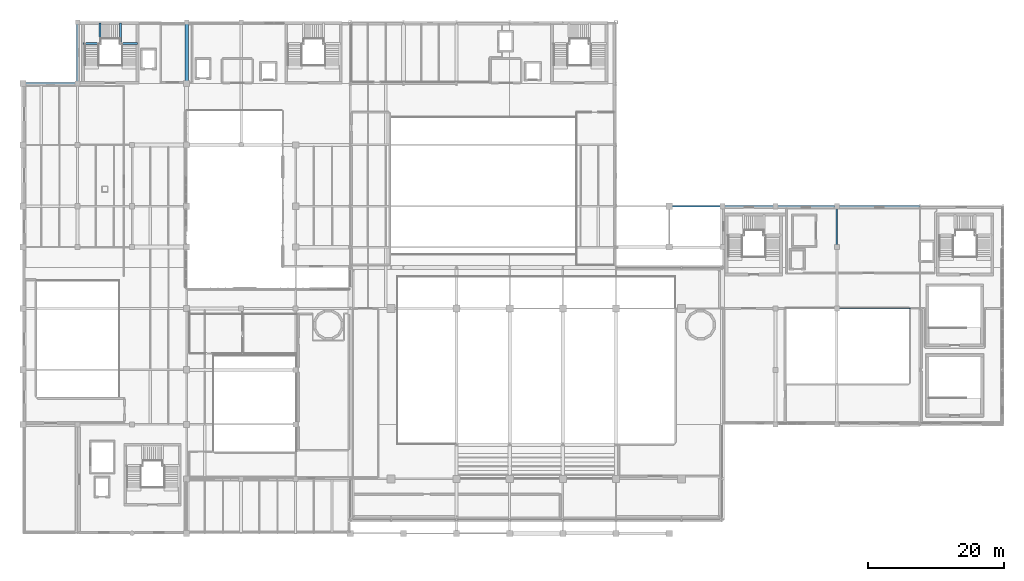
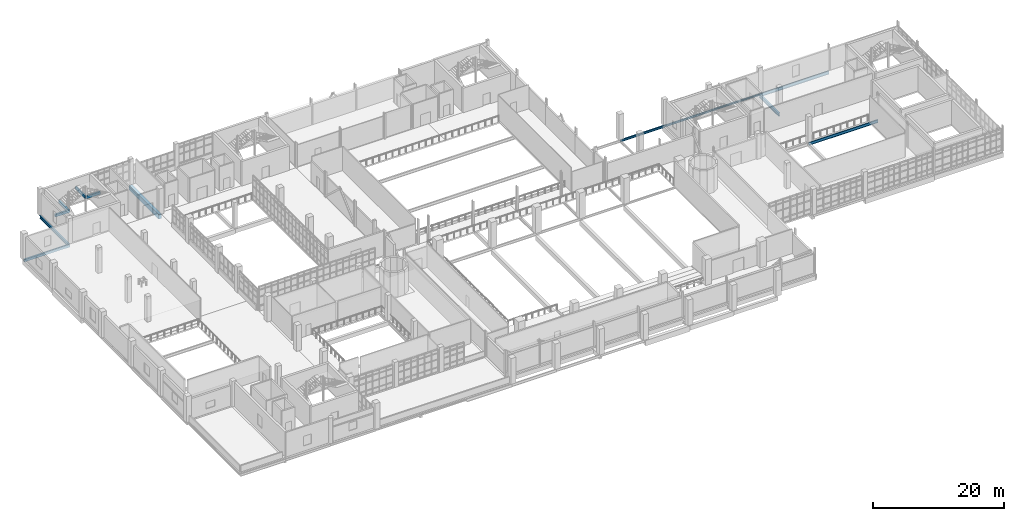
# One storey, part 46 of 102: 13 beams.
"""IFC4 building model written with IfcOpenShell, lengths in metres."""

from ifc_helpers import new_model, si_unit, derived_unit, direction, frame, origin, origin_2d, place, context, subcontext, project, spatial, rectangle, i_section, extrude, material, material_profile, profile_set, type_object, element, save


model = new_model("IFC4")

# Units and contexts
model_context = context("Model", 3, precision=1e-05, world=origin(), true_north=direction((0.0, 1.0)))
body_context = subcontext(model_context, "Body", "Model", "MODEL_VIEW")
ifc_project = project(units=[si_unit("LENGTHUNIT", "METRE"), si_unit("AREAUNIT", "SQUARE_METRE"), si_unit("VOLUMEUNIT", "CUBIC_METRE"), si_unit("PLANEANGLEUNIT", "RADIAN"), si_unit("MASSUNIT", "GRAM", prefix="KILO"), derived_unit("THERMALTRANSMITTANCEUNIT", [(si_unit("POWERUNIT", "WATT"), 1), (si_unit("LENGTHUNIT", "METRE"), -2), (si_unit("THERMODYNAMICTEMPERATUREUNIT", "KELVIN"), -1)])], contexts=[model_context])

# Site, building, storey
site_placement = place(None, origin())
site = spatial("IfcSite", under=ifc_project, at=site_placement, CompositionType="ELEMENT")
building_placement = place(site_placement, origin())
building = spatial("IfcBuilding", under=site, at=building_placement, Name="Nallur Shell Playhouse", CompositionType="ELEMENT")
storey_placement = place(building_placement, frame((0.0, 0.0, 15.0)))
storey = spatial("IfcBuildingStorey", under=building, at=storey_placement, Name="L04", CompositionType="ELEMENT", Elevation=15.0)

# Beams
ifc_material_1 = material(Name="Concrete M40", Category="concrete")
ifc_material_profile_1 = material_profile(ifc_material_1, rectangle(XDim=0.5, YDim=0.85009765625, at=origin_2d()), Name="RC 500x850")
ifc_profile_set_1 = profile_set([ifc_material_profile_1], Name="Concrete M40")
beam_type_1 = type_object("IfcBeamType", Name="BM-RC-500x850", PredefinedType="BEAM", material=ifc_profile_set_1)
beam_1_placement = place(storey_placement, frame((40.0, 74.0, -0.68505859375), z_axis=(0.0, 1.0, 0.0), x_axis=(-1.0, 0.0, 0.0)))
element("IfcBeam", 1, at=beam_1_placement, inside=storey, type_object=beam_type_1, Name="L04 girder Y-5-829", PredefinedType="BEAM", context=body_context, shape_type="SweptSolid", body=[
    extrude(rectangle(XDim=0.5, YDim=0.85009765625, at=origin_2d()), origin(), (0.0, 0.0, 1.0), 9.0),
])
ifc_material_2 = material(Name="Concrete M35", Category="concrete")
ifc_material_profile_2 = material_profile(ifc_material_2, rectangle(XDim=0.300048828125, YDim=0.449951171875, at=origin_2d()), Name="RC 300x450")
ifc_profile_set_2 = profile_set([ifc_material_profile_2], Name="Concrete M35")
beam_type_2 = type_object("IfcBeamType", Name="BM-SPN-300x450", PredefinedType="SPANDREL", material=ifc_profile_set_2)
beam_2_placement = place(storey_placement, frame((16.0, 74.0, -0.485107421875), z_axis=(1.0, 0.0, 0.0), x_axis=(0.0, 1.0, 0.0)))
element("IfcBeam", 2, at=beam_2_placement, inside=storey, type_object=beam_type_2, Name="L04 girder X-J-800", PredefinedType="SPANDREL", context=body_context, shape_type="SweptSolid", body=[
    extrude(rectangle(XDim=0.300048828125, YDim=0.449951171875, at=origin_2d()), origin(), (0.0, 0.0, 1.0), 8.0),
])
beam_3_placement = place(storey_placement, frame((24.820068359375, 79.8798828125, 1.22509765625), z_axis=(1.0, 0.0, 0.0), x_axis=(0.0, 1.0, 0.0)))
element("IfcBeam", 3, at=beam_3_placement, inside=storey, type_object=beam_type_2, Name="Stair ST-06-L04 L1 south bearer beam", PredefinedType="SPANDREL", context=body_context, shape_type="SweptSolid", body=[
    extrude(rectangle(XDim=0.300048828125, YDim=0.449951171875, at=origin_2d()), origin(), (0.0, 0.0, 1.0), 2.559814453125),
])
beam_4_placement = place(storey_placement, frame((27.320068359375, 79.8798828125, 1.22509765625), z_axis=(0.0, 1.0, 0.0), x_axis=(-1.0, 0.0, 0.0)))
element("IfcBeam", 4, at=beam_4_placement, inside=storey, type_object=beam_type_2, Name="Stair ST-06-L04 L1 east bearer beam", PredefinedType="SPANDREL", context=body_context, shape_type="SweptSolid", body=[
    extrude(rectangle(XDim=0.300048828125, YDim=0.449951171875, at=origin_2d()), origin(), (0.0, 0.0, 1.0), 3.0),
])
beam_5_placement = place(storey_placement, frame((30.219970703125, 79.8798828125, 2.72509765625), z_axis=(1.0, 0.0, 0.0), x_axis=(0.0, 1.0, 0.0)))
element("IfcBeam", 5, at=beam_5_placement, inside=storey, type_object=beam_type_2, Name="Stair ST-06-L04 L2 south bearer beam", PredefinedType="SPANDREL", context=body_context, shape_type="SweptSolid", body=[
    extrude(rectangle(XDim=0.300048828125, YDim=0.449951171875, at=origin_2d()), origin(), (0.0, 0.0, 1.0), 2.56005859375),
])
beam_6_placement = place(storey_placement, frame((30.280029296875, 79.8798828125, 2.72509765625), z_axis=(0.0, 1.0, 0.0), x_axis=(-1.0, 0.0, 0.0)))
element("IfcBeam", 6, at=beam_6_placement, inside=storey, type_object=beam_type_2, Name="Stair ST-06-L04 L2 west bearer beam", PredefinedType="SPANDREL", context=body_context, shape_type="SweptSolid", body=[
    extrude(rectangle(XDim=0.300048828125, YDim=0.449951171875, at=origin_2d()), origin(), (0.0, 0.0, 1.0), 3.0),
])
ifc_material_3 = material(Name="Steel E350", Category="steel")
ifc_material_profile_3 = material_profile(ifc_material_3, i_section(OverallWidth=0.18994140625, OverallDepth=0.550048828125, WebThickness=0.01123046875, FlangeThickness=0.019287109375, FilletRadius=0.01806640625, at=origin_2d()), Name="ISMB 550")
ifc_profile_set_3 = profile_set([ifc_material_profile_3], Name="Steel E350")
beam_type_3 = type_object("IfcBeamType", Name="BM-ST-ISMB550", PredefinedType="BEAM", material=ifc_profile_set_3)
beam_7_placement = place(storey_placement, frame((135.39990234375, 41.0, -0.534912109375), z_axis=(1.0, 0.0, 0.0), x_axis=(0.0, 1.0, 0.0)))
element("IfcBeam", 7, at=beam_7_placement, inside=storey, type_object=beam_type_3, Name="L04 girder X-E-777", PredefinedType="BEAM", context=body_context, shape_type="SweptSolid", body=[
    extrude(i_section(OverallWidth=0.18994140625, OverallDepth=0.550048828125, WebThickness=0.01123046875, FlangeThickness=0.019287109375, FilletRadius=0.01806640625, at=origin_2d()), origin(), (0.0, 0.0, 1.0), 12.2001953125),
])
ifc_material_profile_4 = material_profile(ifc_material_3, i_section(OverallWidth=0.2099609375, OverallDepth=0.60009765625, WebThickness=0.011962890625, FlangeThickness=0.020751953125, FilletRadius=0.02001953125, at=origin_2d()), Name="ISMB 600")
ifc_profile_set_4 = profile_set([ifc_material_profile_4], Name="Steel E350")
beam_type_4 = type_object("IfcBeamType", Name="BM-ST-ISMB600", PredefinedType="BEAM", material=ifc_profile_set_4)
beam_8_placement = place(storey_placement, frame((135.39990234375, 56.0, -0.56005859375), z_axis=(1.0, 0.0, 0.0), x_axis=(0.0, 1.0, 0.0)))
element("IfcBeam", 8, at=beam_8_placement, inside=storey, type_object=beam_type_4, Name="L04 girder X-G-792", PredefinedType="BEAM", context=body_context, shape_type="SweptSolid", body=[
    extrude(i_section(OverallWidth=0.2099609375, OverallDepth=0.60009765625, WebThickness=0.011962890625, FlangeThickness=0.020751953125, FilletRadius=0.02001953125, at=origin_2d()), origin(), (0.0, 0.0, 1.0), 12.2001953125),
])
ifc_material_4 = material(Name="Steel E250", Category="steel")
ifc_material_profile_5 = material_profile(ifc_material_4, i_section(OverallWidth=0.199951171875, OverallDepth=0.300048828125, WebThickness=0.00732421875, FlangeThickness=0.010009765625, FilletRadius=0.010986328125, at=origin_2d()), Name="ISWB 300")
ifc_profile_set_5 = profile_set([ifc_material_profile_5], Name="Steel E250")
beam_type_5 = type_object("IfcBeamType", Name="BM-ST-ISWB300", PredefinedType="BEAM", material=ifc_profile_set_5)
beam_9_placement = place(storey_placement, frame((126.39990234375, 56.0, -0.409912109375), z_axis=(1.0, 0.0, 0.0), x_axis=(0.0, 1.0, 0.0)))
element("IfcBeam", 9, at=beam_9_placement, inside=storey, type_object=beam_type_5, Name="L04 girder X-G-791", PredefinedType="BEAM", context=body_context, shape_type="SweptSolid", body=[
    extrude(i_section(OverallWidth=0.199951171875, OverallDepth=0.300048828125, WebThickness=0.00732421875, FlangeThickness=0.010009765625, FilletRadius=0.010986328125, at=origin_2d()), origin(), (0.0, 0.0, 1.0), 9.0),
])
ifc_material_profile_6 = material_profile(ifc_material_3, i_section(OverallWidth=0.199951171875, OverallDepth=0.35009765625, WebThickness=0.008056640625, FlangeThickness=0.011474609375, FilletRadius=0.011962890625, at=origin_2d()), Name="ISWB 350")
ifc_profile_set_6 = profile_set([ifc_material_profile_6], Name="Steel E350")
beam_type_6 = type_object("IfcBeamType", Name="BM-ST-ISWB350", PredefinedType="BEAM", material=ifc_profile_set_6)
beam_10_placement = place(storey_placement, frame((118.60009765625, 56.0, -0.43505859375), z_axis=(1.0, 0.0, 0.0), x_axis=(0.0, 1.0, 0.0)))
element("IfcBeam", 10, at=beam_10_placement, inside=storey, type_object=beam_type_6, Name="L04 girder X-G-790", PredefinedType="BEAM", context=body_context, shape_type="SweptSolid", body=[
    extrude(i_section(OverallWidth=0.199951171875, OverallDepth=0.35009765625, WebThickness=0.008056640625, FlangeThickness=0.011474609375, FilletRadius=0.011962890625, at=origin_2d()), origin(), (0.0, 0.0, 1.0), 7.7998046875),
])
ifc_material_profile_7 = material_profile(ifc_material_3, i_section(OverallWidth=0.199951171875, OverallDepth=0.39990234375, WebThickness=0.008544921875, FlangeThickness=0.012939453125, FilletRadius=0.012939453125, at=origin_2d()), Name="ISWB 400")
ifc_profile_set_7 = profile_set([ifc_material_profile_7], Name="Steel E350")
beam_type_7 = type_object("IfcBeamType", Name="BM-ST-ISWB400", PredefinedType="BEAM", material=ifc_profile_set_7)
beam_11_placement = place(storey_placement, frame((110.800048828125, 56.0, -0.4599609375), z_axis=(1.0, 0.0, 0.0), x_axis=(0.0, 1.0, 0.0)))
element("IfcBeam", 11, at=beam_11_placement, inside=storey, type_object=beam_type_7, Name="L04 girder X-G-789", PredefinedType="BEAM", context=body_context, shape_type="SweptSolid", body=[
    extrude(i_section(OverallWidth=0.199951171875, OverallDepth=0.39990234375, WebThickness=0.008544921875, FlangeThickness=0.012939453125, FilletRadius=0.012939453125, at=origin_2d()), origin(), (0.0, 0.0, 1.0), 7.800048828125),
])
ifc_material_profile_8 = material_profile(ifc_material_3, i_section(OverallWidth=0.25, OverallDepth=0.550048828125, WebThickness=0.010498046875, FlangeThickness=0.017578125, FilletRadius=0.01611328125, at=origin_2d()), Name="ISWB 550")
ifc_profile_set_8 = profile_set([ifc_material_profile_8], Name="Steel E350")
beam_type_8 = type_object("IfcBeamType", Name="BM-ST-ISWB550", PredefinedType="BEAM", material=ifc_profile_set_8)
beam_12_placement = place(storey_placement, frame((24.0, 74.0, -0.534912109375), z_axis=(0.0, 1.0, 0.0), x_axis=(-1.0, 0.0, 0.0)))
element("IfcBeam", 12, at=beam_12_placement, inside=storey, type_object=beam_type_8, Name="L04 girder Y-3-818", PredefinedType="BEAM", context=body_context, shape_type="SweptSolid", body=[
    extrude(i_section(OverallWidth=0.25, OverallDepth=0.550048828125, WebThickness=0.010498046875, FlangeThickness=0.017578125, FilletRadius=0.01611328125, at=origin_2d()), origin(), (0.0, 0.0, 1.0), 9.0),
])
ifc_material_profile_9 = material_profile(ifc_material_3, i_section(OverallWidth=0.25, OverallDepth=0.60009765625, WebThickness=0.01171875, FlangeThickness=0.023681640625, FilletRadius=0.01708984375, at=origin_2d()), Name="ISWB 600")
ifc_profile_set_9 = profile_set([ifc_material_profile_9], Name="Steel E350")
beam_type_9 = type_object("IfcBeamType", Name="BM-ST-ISWB600", PredefinedType="BEAM", material=ifc_profile_set_9)
beam_13_placement = place(storey_placement, frame((135.39990234375, 50.0, -0.56005859375), z_axis=(0.0, 1.0, 0.0), x_axis=(-1.0, 0.0, 0.0)))
element("IfcBeam", 13, at=beam_13_placement, inside=storey, type_object=beam_type_9, Name="L04 girder Y-17-865", PredefinedType="BEAM", context=body_context, shape_type="SweptSolid", body=[
    extrude(i_section(OverallWidth=0.25, OverallDepth=0.60009765625, WebThickness=0.01171875, FlangeThickness=0.023681640625, FilletRadius=0.01708984375, at=origin_2d()), origin(), (0.0, 0.0, 1.0), 6.0),
])

save(model, "model.ifc")
